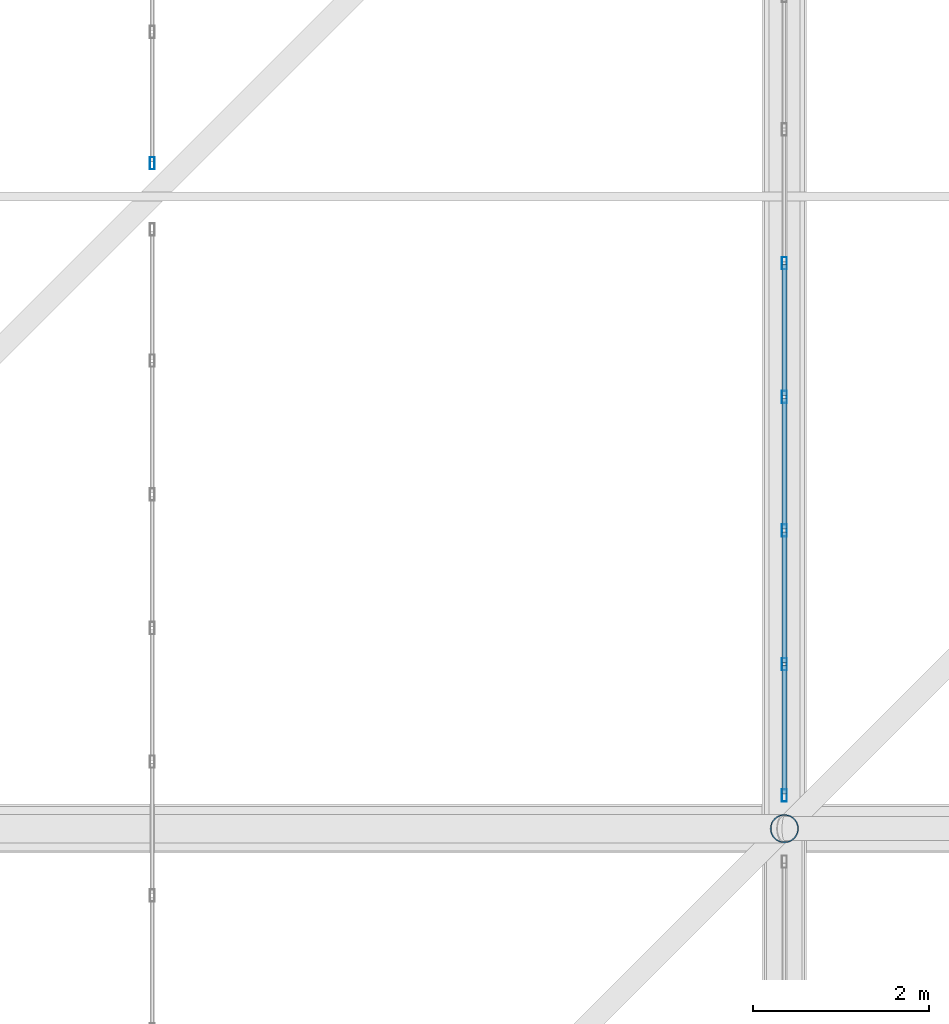
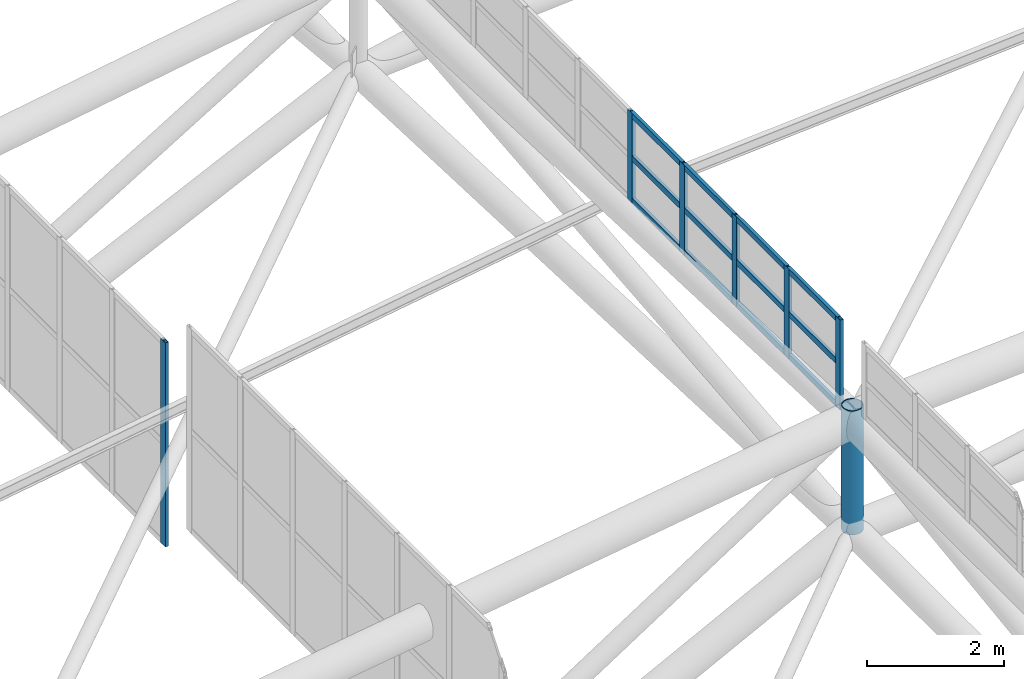
# One storey, part 187 of 397: 19 members, 2 elements without a shape of their own.
"""IFC4 building model written with IfcOpenShell, lengths in metres."""

from ifc_helpers import new_model, si_unit, direction, frame, origin, origin_2d, place, context, subcontext, project, spatial, hollow_rectangle, hollow_circle, extrude, material, material_profile, profile_set, type_object, element, aggregate, save


model = new_model("IFC4")

# Units and contexts
model_context = context("Model", 3, precision=1e-05, world=origin(), true_north=direction((0.0, 1.0)))
body_context = subcontext(model_context, "Body", "Model", "MODEL_VIEW")
ifc_project = project(units=[si_unit("LENGTHUNIT", "METRE"), si_unit("AREAUNIT", "SQUARE_METRE"), si_unit("VOLUMEUNIT", "CUBIC_METRE"), si_unit("PLANEANGLEUNIT", "RADIAN"), si_unit("MASSUNIT", "GRAM", prefix="KILO")], contexts=[model_context])

# Site, building, storey
site_placement = place(None, origin())
site = spatial("IfcSite", under=ifc_project, at=site_placement, CompositionType="ELEMENT")
building_placement = place(site_placement, origin())
building = spatial("IfcBuilding", under=site, at=building_placement, Name="Qandorah Velis Arena", CompositionType="ELEMENT")
storey_placement = place(building_placement, frame((0.0, 0.0, 27.5)))
storey = spatial("IfcBuildingStorey", under=building, at=storey_placement, Name="RF", CompositionType="ELEMENT", Elevation=27.5)

# Curtain wall, member
ifc_material_1 = material(Name="Solar-control low-E double glazing", Category="glass")
curtain_wall_type_1 = type_object("IfcCurtainWallType", Name="ARC-CW-SYS11", PredefinedType="USERDEFINED", material=ifc_material_1)
curtain_wall_1_placement = place(storey_placement, origin())
curtain_wall_1 = element("IfcCurtainWall", 1, at=curtain_wall_1_placement, inside=storey, type_object=curtain_wall_type_1, Name="Unitised curtain wall MON-1-5", ObjectType="UNITISED CURTAIN WALL", PredefinedType="USERDEFINED")
ifc_material_2 = material(Name="Champagne-bronze anodized aluminium 6063-T6", Category="aluminium")
ifc_material_profile_1 = material_profile(ifc_material_2, hollow_rectangle(XDim=0.054931640625, YDim=0.139892578125, WallThickness=0.0029296875, at=origin_2d()), Name="ALU MULLION 55x140")
ifc_profile_set_1 = profile_set([ifc_material_profile_1], Name="Champagne-bronze anodized aluminium 6063-T6")
member_type_1 = type_object("IfcMemberType", Name="ARC-CWM-140", PredefinedType="MULLION", material=ifc_profile_set_1)
member_1_placement = place(storey_placement, frame((21.60009765625, 79.577392578125, 5.13427734375), z_axis=(0.0, 0.0, 1.0), x_axis=(-1.0, 0.0, 0.0)))
member_1 = element("IfcMember", 2, at=member_1_placement, type_object=member_type_1, Name="CW11 mullion 1", PredefinedType="MULLION", context=body_context, shape_type="SweptSolid", body=[
    extrude(hollow_rectangle(XDim=0.054931640625, YDim=0.139892578125, WallThickness=0.0029296875, at=origin_2d()), origin(), (0.0, 0.0, 1.0), 3.630126953125),
])
aggregate(curtain_wall_1, [member_1])

# Curtain wall, members
curtain_wall_type_2 = type_object("IfcCurtainWallType", Name="ARC-CW-SYS09", PredefinedType="USERDEFINED", material=ifc_material_1)
curtain_wall_2_placement = place(storey_placement, origin())
curtain_wall_2 = element("IfcCurtainWall", 3, at=curtain_wall_2_placement, inside=storey, type_object=curtain_wall_type_2, Name="Unitised curtain wall OCULUS-1-4", ObjectType="UNITISED CURTAIN WALL", PredefinedType="USERDEFINED")
member_2_placement = place(storey_placement, frame((28.800048828125, 72.37744140625, 9.41259765625), z_axis=(0.0, 0.0, 1.0), x_axis=(-1.0, 0.0, 0.0)))
member_2 = element("IfcMember", 4, at=member_2_placement, type_object=member_type_1, Name="CW09 mullion 1", PredefinedType="MULLION", context=body_context, shape_type="SweptSolid", body=[
    extrude(hollow_rectangle(XDim=0.054931640625, YDim=0.139892578125, WallThickness=0.0029296875, at=origin_2d()), origin(), (0.0, 0.0, 1.0), 1.602294921875),
])
member_3_placement = place(storey_placement, frame((28.800048828125, 73.872314453125, 9.41259765625), z_axis=(0.0, 0.0, 1.0), x_axis=(-1.0, 0.0, 0.0)))
member_3 = element("IfcMember", 5, at=member_3_placement, type_object=member_type_1, Name="CW09 mullion 2", PredefinedType="MULLION", context=body_context, shape_type="SweptSolid", body=[
    extrude(hollow_rectangle(XDim=0.054931640625, YDim=0.139892578125, WallThickness=0.0029296875, at=origin_2d()), origin(), (0.0, 0.0, 1.0), 1.602294921875),
])
member_4_placement = place(storey_placement, frame((28.800048828125, 75.39453125, 9.41259765625), z_axis=(0.0, 0.0, 1.0), x_axis=(-1.0, 0.0, 0.0)))
member_4 = element("IfcMember", 6, at=member_4_placement, type_object=member_type_1, Name="CW09 mullion 3", PredefinedType="MULLION", context=body_context, shape_type="SweptSolid", body=[
    extrude(hollow_rectangle(XDim=0.054931640625, YDim=0.139892578125, WallThickness=0.0029296875, at=origin_2d()), origin(), (0.0, 0.0, 1.0), 1.602294921875),
])
member_5_placement = place(storey_placement, frame((28.800048828125, 76.916748046875, 9.41259765625), z_axis=(0.0, 0.0, 1.0), x_axis=(-1.0, 0.0, 0.0)))
member_5 = element("IfcMember", 7, at=member_5_placement, type_object=member_type_1, Name="CW09 mullion 4", PredefinedType="MULLION", context=body_context, shape_type="SweptSolid", body=[
    extrude(hollow_rectangle(XDim=0.054931640625, YDim=0.139892578125, WallThickness=0.0029296875, at=origin_2d()), origin(), (0.0, 0.0, 1.0), 1.602294921875),
])
member_6_placement = place(storey_placement, frame((28.800048828125, 78.43896484375, 9.41259765625), z_axis=(0.0, 0.0, 1.0), x_axis=(-1.0, 0.0, 0.0)))
member_6 = element("IfcMember", 8, at=member_6_placement, type_object=member_type_1, Name="CW09 mullion 5", PredefinedType="MULLION", context=body_context, shape_type="SweptSolid", body=[
    extrude(hollow_rectangle(XDim=0.054931640625, YDim=0.139892578125, WallThickness=0.0029296875, at=origin_2d()), origin(), (0.0, 0.0, 1.0), 1.602294921875),
])
ifc_material_profile_2 = material_profile(ifc_material_2, hollow_rectangle(XDim=0.054931640625, YDim=0.10009765625, WallThickness=0.0029296875, at=origin_2d()), Name="ALU TRANSOM 55x100")
ifc_profile_set_2 = profile_set([ifc_material_profile_2], Name="Champagne-bronze anodized aluminium 6063-T6")
member_type_2 = type_object("IfcMemberType", Name="ARC-CWT-100", PredefinedType="USERDEFINED", material=ifc_profile_set_2)
member_7_placement = place(storey_placement, frame((28.800048828125, 72.39306640625, 9.455078125), z_axis=(0.0, 1.0, 0.0), x_axis=(-1.0, 0.0, 0.0)))
member_7 = element("IfcMember", 9, at=member_7_placement, type_object=member_type_2, Name="CW09 transom 1.1", ObjectType="TRANSOM", PredefinedType="USERDEFINED", context=body_context, shape_type="SweptSolid", body=[
    extrude(hollow_rectangle(XDim=0.054931640625, YDim=0.10009765625, WallThickness=0.0029296875, at=origin_2d()), origin(), (0.0, 0.0, 1.0), 1.463623046875),
])
member_8_placement = place(storey_placement, frame((28.800048828125, 72.39306640625, 10.2138671875), z_axis=(0.0, 1.0, 0.0), x_axis=(-1.0, 0.0, 0.0)))
member_8 = element("IfcMember", 10, at=member_8_placement, type_object=member_type_2, Name="CW09 transom 1.2", ObjectType="TRANSOM", PredefinedType="USERDEFINED", context=body_context, shape_type="SweptSolid", body=[
    extrude(hollow_rectangle(XDim=0.054931640625, YDim=0.10009765625, WallThickness=0.0029296875, at=origin_2d()), origin(), (0.0, 0.0, 1.0), 1.463623046875),
])
member_9_placement = place(storey_placement, frame((28.800048828125, 72.39306640625, 10.972412109375), z_axis=(0.0, 1.0, 0.0), x_axis=(-1.0, 0.0, 0.0)))
member_9 = element("IfcMember", 11, at=member_9_placement, type_object=member_type_2, Name="CW09 transom 1.3", ObjectType="TRANSOM", PredefinedType="USERDEFINED", context=body_context, shape_type="SweptSolid", body=[
    extrude(hollow_rectangle(XDim=0.054931640625, YDim=0.10009765625, WallThickness=0.0029296875, at=origin_2d()), origin(), (0.0, 0.0, 1.0), 1.463623046875),
])
member_10_placement = place(storey_placement, frame((28.800048828125, 73.8876953125, 9.455078125), z_axis=(0.0, 1.0, 0.0), x_axis=(-1.0, 0.0, 0.0)))
member_10 = element("IfcMember", 12, at=member_10_placement, type_object=member_type_2, Name="CW09 transom 2.1", ObjectType="TRANSOM", PredefinedType="USERDEFINED", context=body_context, shape_type="SweptSolid", body=[
    extrude(hollow_rectangle(XDim=0.054931640625, YDim=0.10009765625, WallThickness=0.0029296875, at=origin_2d()), origin(), (0.0, 0.0, 1.0), 1.4912109375),
])
member_11_placement = place(storey_placement, frame((28.800048828125, 73.8876953125, 10.2138671875), z_axis=(0.0, 1.0, 0.0), x_axis=(-1.0, 0.0, 0.0)))
member_11 = element("IfcMember", 13, at=member_11_placement, type_object=member_type_2, Name="CW09 transom 2.2", ObjectType="TRANSOM", PredefinedType="USERDEFINED", context=body_context, shape_type="SweptSolid", body=[
    extrude(hollow_rectangle(XDim=0.054931640625, YDim=0.10009765625, WallThickness=0.0029296875, at=origin_2d()), origin(), (0.0, 0.0, 1.0), 1.4912109375),
])
member_12_placement = place(storey_placement, frame((28.800048828125, 73.8876953125, 10.972412109375), z_axis=(0.0, 1.0, 0.0), x_axis=(-1.0, 0.0, 0.0)))
member_12 = element("IfcMember", 14, at=member_12_placement, type_object=member_type_2, Name="CW09 transom 2.3", ObjectType="TRANSOM", PredefinedType="USERDEFINED", context=body_context, shape_type="SweptSolid", body=[
    extrude(hollow_rectangle(XDim=0.054931640625, YDim=0.10009765625, WallThickness=0.0029296875, at=origin_2d()), origin(), (0.0, 0.0, 1.0), 1.4912109375),
])
member_13_placement = place(storey_placement, frame((28.800048828125, 75.409912109375, 9.455078125), z_axis=(0.0, 1.0, 0.0), x_axis=(-1.0, 0.0, 0.0)))
member_13 = element("IfcMember", 15, at=member_13_placement, type_object=member_type_2, Name="CW09 transom 3.1", ObjectType="TRANSOM", PredefinedType="USERDEFINED", context=body_context, shape_type="SweptSolid", body=[
    extrude(hollow_rectangle(XDim=0.054931640625, YDim=0.10009765625, WallThickness=0.0029296875, at=origin_2d()), origin(), (0.0, 0.0, 1.0), 1.4912109375),
])
member_14_placement = place(storey_placement, frame((28.800048828125, 75.409912109375, 10.2138671875), z_axis=(0.0, 1.0, 0.0), x_axis=(-1.0, 0.0, 0.0)))
member_14 = element("IfcMember", 16, at=member_14_placement, type_object=member_type_2, Name="CW09 transom 3.2", ObjectType="TRANSOM", PredefinedType="USERDEFINED", context=body_context, shape_type="SweptSolid", body=[
    extrude(hollow_rectangle(XDim=0.054931640625, YDim=0.10009765625, WallThickness=0.0029296875, at=origin_2d()), origin(), (0.0, 0.0, 1.0), 1.4912109375),
])
member_15_placement = place(storey_placement, frame((28.800048828125, 75.409912109375, 10.972412109375), z_axis=(0.0, 1.0, 0.0), x_axis=(-1.0, 0.0, 0.0)))
member_15 = element("IfcMember", 17, at=member_15_placement, type_object=member_type_2, Name="CW09 transom 3.3", ObjectType="TRANSOM", PredefinedType="USERDEFINED", context=body_context, shape_type="SweptSolid", body=[
    extrude(hollow_rectangle(XDim=0.054931640625, YDim=0.10009765625, WallThickness=0.0029296875, at=origin_2d()), origin(), (0.0, 0.0, 1.0), 1.4912109375),
])
member_16_placement = place(storey_placement, frame((28.800048828125, 76.93212890625, 9.455078125), z_axis=(0.0, 1.0, 0.0), x_axis=(-1.0, 0.0, 0.0)))
member_16 = element("IfcMember", 18, at=member_16_placement, type_object=member_type_2, Name="CW09 transom 4.1", ObjectType="TRANSOM", PredefinedType="USERDEFINED", context=body_context, shape_type="SweptSolid", body=[
    extrude(hollow_rectangle(XDim=0.054931640625, YDim=0.10009765625, WallThickness=0.0029296875, at=origin_2d()), origin(), (0.0, 0.0, 1.0), 1.4912109375),
])
member_17_placement = place(storey_placement, frame((28.800048828125, 76.93212890625, 10.2138671875), z_axis=(0.0, 1.0, 0.0), x_axis=(-1.0, 0.0, 0.0)))
member_17 = element("IfcMember", 19, at=member_17_placement, type_object=member_type_2, Name="CW09 transom 4.2", ObjectType="TRANSOM", PredefinedType="USERDEFINED", context=body_context, shape_type="SweptSolid", body=[
    extrude(hollow_rectangle(XDim=0.054931640625, YDim=0.10009765625, WallThickness=0.0029296875, at=origin_2d()), origin(), (0.0, 0.0, 1.0), 1.4912109375),
])
member_18_placement = place(storey_placement, frame((28.800048828125, 76.93212890625, 10.972412109375), z_axis=(0.0, 1.0, 0.0), x_axis=(-1.0, 0.0, 0.0)))
member_18 = element("IfcMember", 20, at=member_18_placement, type_object=member_type_2, Name="CW09 transom 4.3", ObjectType="TRANSOM", PredefinedType="USERDEFINED", context=body_context, shape_type="SweptSolid", body=[
    extrude(hollow_rectangle(XDim=0.054931640625, YDim=0.10009765625, WallThickness=0.0029296875, at=origin_2d()), origin(), (0.0, 0.0, 1.0), 1.4912109375),
])
aggregate(curtain_wall_2, [member_2, member_3, member_4, member_5, member_6, member_7, member_8, member_9, member_10, member_11, member_12, member_13, member_14, member_15, member_16, member_17, member_18])

# Member
ifc_material_3 = material(Name="Steel S355", Category="steel")
ifc_material_profile_3 = material_profile(ifc_material_3, hollow_circle(Radius=0.161865234375, WallThickness=0.012451171875, at=origin_2d()), Name="CHS 323.9x12.5")
ifc_profile_set_3 = profile_set([ifc_material_profile_3], Name="Steel S355")
member_type_3 = type_object("IfcMemberType", Name="STR-SFD-CHS323X12", PredefinedType="CHORD", material=ifc_profile_set_3)
member_19_placement = place(storey_placement, frame((28.800048828125, 72.0, 7.483154296875), z_axis=(0.0, 0.0, 1.0), x_axis=(1.0, 0.0, 0.0)))
element("IfcMember", 21, at=member_19_placement, inside=storey, type_object=member_type_3, Name="Space frame roof vertical post 1.4", PredefinedType="CHORD", context=body_context, shape_type="SweptSolid", body=[
    extrude(hollow_circle(Radius=0.161865234375, WallThickness=0.012451171875, at=origin_2d()), origin(), (0.0, 0.0, 1.0), 2.2099609375),
])

save(model, "model.ifc")
